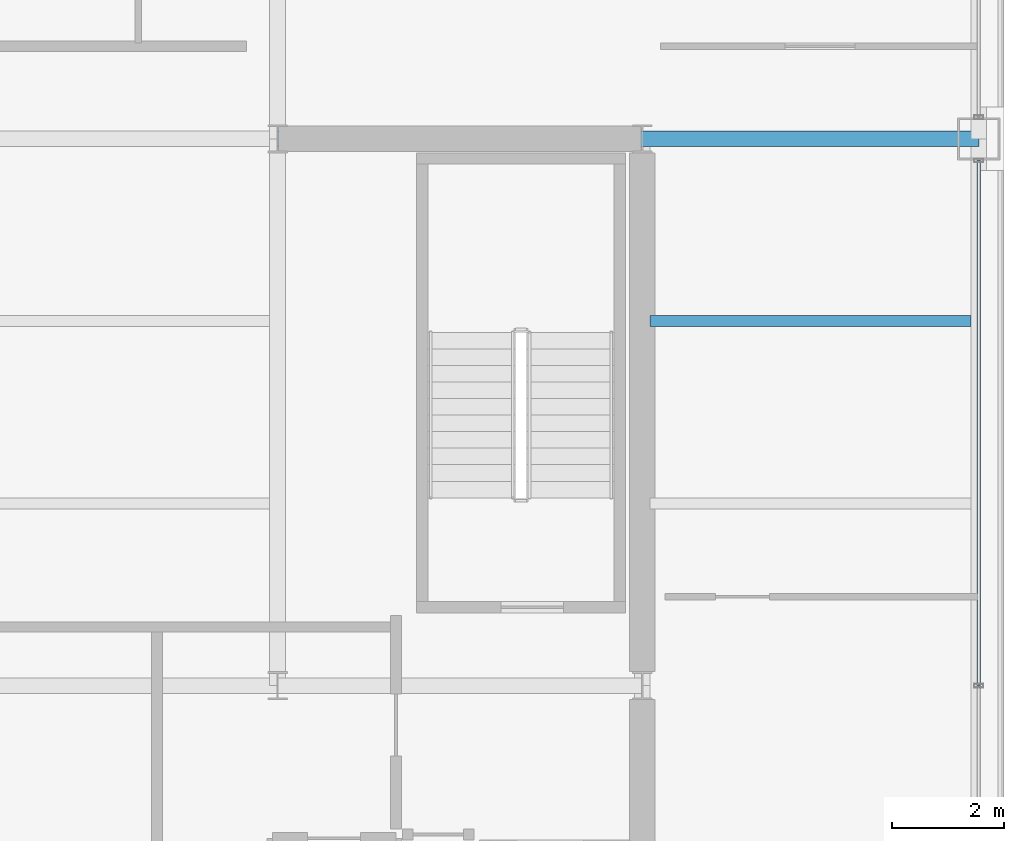
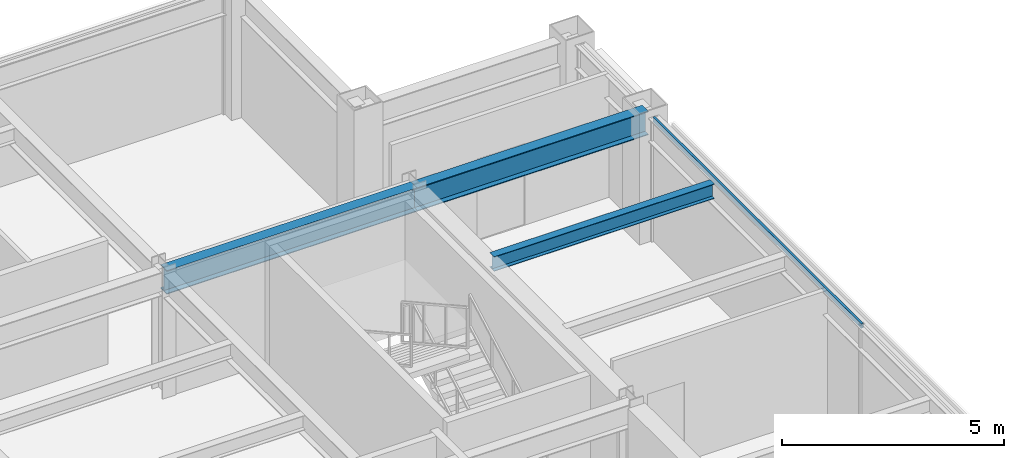
# One storey, part 16 of 30: 3 beams, 1 member, 1 element without a shape of its own.
"""IFC4 building model written with IfcOpenShell, lengths in metres."""

from ifc_helpers import new_model, si_unit, direction, frame, origin, origin_2d, place, context, subcontext, project, spatial, hollow_rectangle, i_section, extrude, material, layer, layer_set, material_profile, profile_set, type_object, element, aggregate, save


model = new_model("IFC4")

# Units and contexts
model_context = context("Model", 3, precision=1e-05, world=origin(), true_north=direction((0.0, 1.0)))
body_context = subcontext(model_context, "Body", "Model", "MODEL_VIEW")
ifc_project = project(units=[si_unit("LENGTHUNIT", "METRE"), si_unit("AREAUNIT", "SQUARE_METRE"), si_unit("VOLUMEUNIT", "CUBIC_METRE"), si_unit("PLANEANGLEUNIT", "RADIAN"), si_unit("MASSUNIT", "GRAM", prefix="KILO")], contexts=[model_context])

# Site, building, storey
site_placement = place(None, origin())
site = spatial("IfcSite", under=ifc_project, at=site_placement, CompositionType="ELEMENT")
building_placement = place(site_placement, origin())
building = spatial("IfcBuilding", under=site, at=building_placement, Name="Brelmoor Portico Tower", CompositionType="ELEMENT")
storey_placement = place(building_placement, frame((0.0, 0.0, 169.5)))
storey = spatial("IfcBuildingStorey", under=building, at=storey_placement, Name="L44", CompositionType="ELEMENT", Elevation=169.5)

# Beams
ifc_material_1 = material(Name="Steel Q355B", Category="steel")
ifc_material_profile_1 = material_profile(ifc_material_1, i_section(OverallWidth=0.199951171875, OverallDepth=0.39990234375, WebThickness=0.008056640625, FlangeThickness=0.012939453125, at=origin_2d()), Name="HN 400x200x8x13")
ifc_profile_set_1 = profile_set([ifc_material_profile_1], Name="Steel Q355B")
beam_type_1 = type_object("IfcBeamType", Name="BM-JS-400", PredefinedType="JOIST", material=ifc_profile_set_1)
beam_1_placement = place(storey_placement, frame((14.68994140625, 6.5, 3.199951171875), z_axis=(1.0, 0.0, 0.0), x_axis=(0.0, 1.0, 0.0)))
element("IfcBeam", 1, at=beam_1_placement, inside=storey, type_object=beam_type_1, Name="L44 Secondary Wing Joist JS-E12", PredefinedType="JOIST", context=body_context, shape_type="SweptSolid", body=[
    extrude(i_section(OverallWidth=0.199951171875, OverallDepth=0.39990234375, WebThickness=0.008056640625, FlangeThickness=0.012939453125, at=origin_2d()), origin(), (0.0, 0.0, 1.0), 5.719970703125),
])
ifc_material_profile_2 = material_profile(ifc_material_1, i_section(OverallWidth=0.280029296875, OverallDepth=0.64990234375, WebThickness=0.012939453125, FlangeThickness=0.02197265625, at=origin_2d()), Name="HN 650x280x13x22")
ifc_profile_set_2 = profile_set([ifc_material_profile_2], Name="Steel Q355B")
beam_type_2 = type_object("IfcBeamType", Name="BM-PG-650", PredefinedType="BEAM", material=ifc_profile_set_2)
beam_2_placement = place(storey_placement, frame((8.050048828125, 9.75, 3.074951171875), z_axis=(1.0, 0.0, 0.0), x_axis=(0.0, 1.0, 0.0)))
element("IfcBeam", 2, at=beam_2_placement, inside=storey, type_object=beam_type_2, Name="L44 Primary Floor Girder PG-22", PredefinedType="BEAM", context=body_context, shape_type="SweptSolid", body=[
    extrude(i_section(OverallWidth=0.280029296875, OverallDepth=0.64990234375, WebThickness=0.012939453125, FlangeThickness=0.02197265625, at=origin_2d()), origin(), (0.0, 0.0, 1.0), 6.5),
])
beam_3_placement = place(storey_placement, frame((14.550048828125, 9.75, 3.074951171875), z_axis=(1.0, 0.0, 0.0), x_axis=(0.0, 1.0, 0.0)))
element("IfcBeam", 3, at=beam_3_placement, inside=storey, type_object=beam_type_2, Name="L44 Primary Floor Girder PG-23", PredefinedType="BEAM", context=body_context, shape_type="SweptSolid", body=[
    extrude(i_section(OverallWidth=0.280029296875, OverallDepth=0.64990234375, WebThickness=0.012939453125, FlangeThickness=0.02197265625, at=origin_2d()), origin(), (0.0, 0.0, 1.0), 6.0),
])

# Curtain wall, member
ifc_material_2 = material(Name="Anodised Aluminium Alloy 6063-T6", Category="aluminium")
ifc_layer = layer(ifc_material_2, 0.179931640625)
ifc_layer_set = layer_set([ifc_layer], Name="Anodised Aluminium Alloy 6063-T6")
curtain_wall_type = type_object("IfcCurtainWallType", Name="CW-TOWER-Z3-XB", PredefinedType="NOTDEFINED", material=ifc_layer_set)
curtain_wall_placement = place(storey_placement, origin())
curtain_wall = element("IfcCurtainWall", 4, at=curtain_wall_placement, inside=storey, type_object=curtain_wall_type, Name="L44 Curtain Wall CW-L44-04-2", PredefinedType="NOTDEFINED")
ifc_material_profile_3 = material_profile(ifc_material_2, hollow_rectangle(XDim=0.06005859375, YDim=0.125, WallThickness=0.00341796875, at=origin_2d()), Name="ALU TRANSOM 60x125")
ifc_profile_set_3 = profile_set([ifc_material_profile_3], Name="Anodised Aluminium Alloy 6063-T6")
member_type = type_object("IfcMemberType", Name="MB-CW-TRAN-125", PredefinedType="USERDEFINED", material=ifc_profile_set_3)
member_placement = place(storey_placement, frame((20.550048828125, 0.0, 3.33740234375), z_axis=(0.0, 1.0, 0.0), x_axis=(-1.0, 0.0, 0.0)))
member = element("IfcMember", 5, at=member_placement, type_object=member_type, Name="CW-L44-04-2 Transom 1-01", ObjectType="TRANSOM", PredefinedType="USERDEFINED", context=body_context, shape_type="SweptSolid", body=[
    extrude(hollow_rectangle(XDim=0.06005859375, YDim=0.125, WallThickness=0.00341796875, at=origin_2d()), origin(), (0.0, 0.0, 1.0), 9.364990234375),
])
aggregate(curtain_wall, [member])

save(model, "model.ifc")
